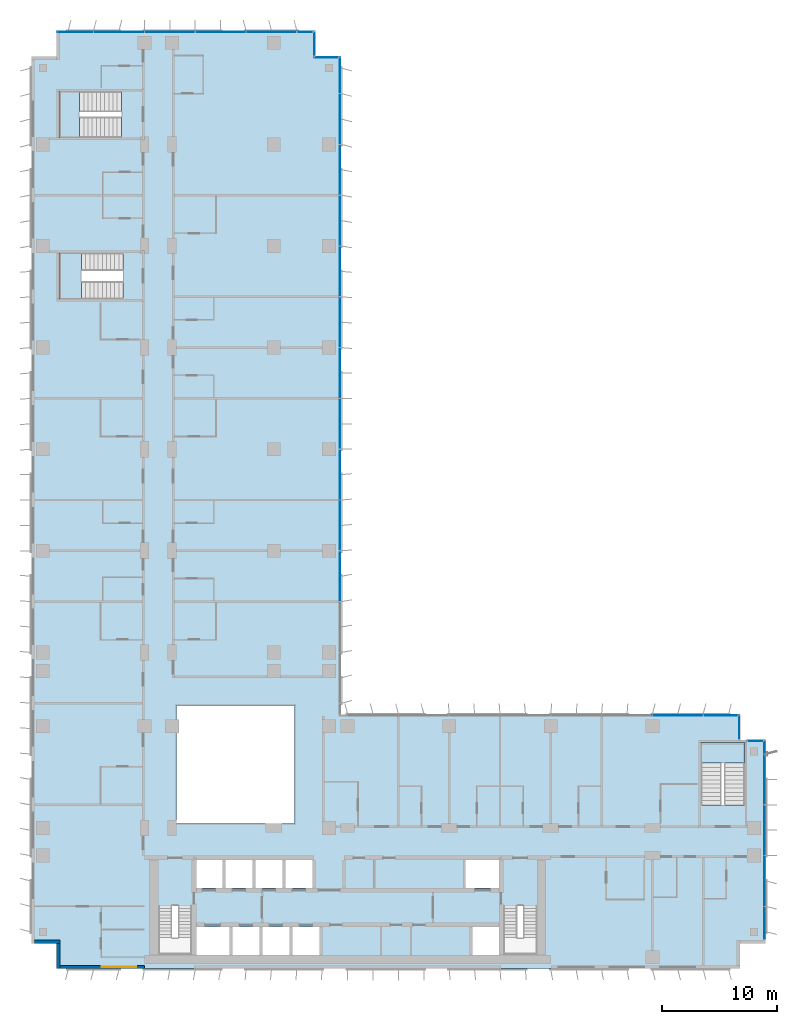
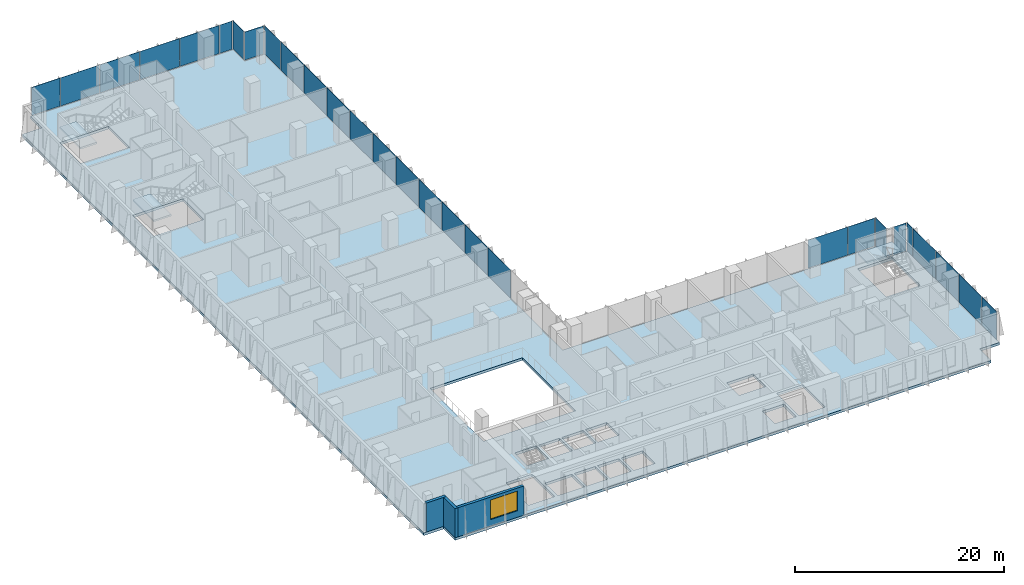
# One storey, part 11 of 23: 28 plates, 4 slabs, 3 walls, 1 window, 1 opening, 11 elements without a shape of their own.
"""IFC4 building model written with IfcOpenShell, lengths in metres."""

import ifcopenshell
import ifcopenshell.guid

model = None  # the IFC model being written
_history = None  # IfcOwnerHistory: only IFC2X3 demands one
_inside = {}  # id of a spatial element -> (the spatial element, [elements in it])
_under = {}  # id of a project, library or spatial element -> (it, [spatial elements below it])
_declared = {}  # id of a project -> (the project, [libraries it declares])
_typed = {}  # id of a type object -> (the type object, [elements of that type])
_made_of = {}  # id of a material, layer set ... -> (it, [elements and type objects made of it])


def new_model(schema):
    """Start an empty IFC model of exactly this schema.

    Asked for "IFC4X3", IfcOpenShell would pick the latest addendum, in which some entities
    have other attributes; the version numbers below select the first issue.
    IFC2X3 requires an IfcOwnerHistory on every rooted entity: one is made here for all.
    """
    global model, _history
    if schema == "IFC4X3":
        model = ifcopenshell.file(schema_version=(4, 3, 0, 0))
    else:
        model = ifcopenshell.file(schema=schema)
    _inside.clear()
    _under.clear()
    _declared.clear()
    _typed.clear()
    _made_of.clear()
    _history = None
    if model.schema == "IFC2X3":
        org = make("IfcOrganization", Name="unknown")
        user = make(
            "IfcPersonAndOrganization",
            ThePerson=make("IfcPerson", FamilyName="unknown"),
            TheOrganization=org,
        )
        app = make(
            "IfcApplication",
            ApplicationDeveloper=org,
            Version="unknown",
            ApplicationFullName="unknown",
            ApplicationIdentifier="unknown",
        )
        _history = make(
            "IfcOwnerHistory",
            OwningUser=user,
            OwningApplication=app,
            ChangeAction="ADDED",
            CreationDate=0,
        )
    return model


def make(cls, **values):
    """One entity of the class cls with the attributes given. An attribute that is None is left unset."""
    return model.create_entity(
        cls, **{name: value for name, value in values.items() if value is not None}
    )


def rooted(cls, **values):
    """An entity with a GlobalId (a new one), such as an element, a storey or a relation."""
    return make(cls, GlobalId=ifcopenshell.guid.new(), OwnerHistory=_history, **values)


def si_unit(unit_type, name, prefix=None):
    """IfcSIUnit, for example si_unit("LENGTHUNIT", "METRE", prefix="MILLI")."""
    return make("IfcSIUnit", UnitType=unit_type, Prefix=prefix, Name=name)


def assignment(units):
    """IfcUnitAssignment: the units of a project."""
    return None if units is None else make("IfcUnitAssignment", Units=units)


def point(xyz):
    """IfcCartesianPoint."""
    return None if xyz is None else make("IfcCartesianPoint", Coordinates=xyz)


def direction(xyz):
    """IfcDirection."""
    return None if xyz is None else make("IfcDirection", DirectionRatios=xyz)


def frame(location, z_axis=None, x_axis=None):
    """IfcAxis2Placement3D, a coordinate frame: its origin and axes. An axis left out is left unset."""
    return make(
        "IfcAxis2Placement3D",
        Location=point(location),
        Axis=direction(z_axis),
        RefDirection=direction(x_axis),
    )


def frame_2d(location, x_axis=None):
    """IfcAxis2Placement2D, a coordinate frame in the plane: its origin and x axis."""
    return make(
        "IfcAxis2Placement2D", Location=point(location), RefDirection=direction(x_axis)
    )


def origin():
    """The frame at (0, 0, 0) with its axes left unset."""
    return frame((0.0, 0.0, 0.0))


def origin_2d():
    """The frame at (0, 0) in the plane with its x axis left unset."""
    return frame_2d((0.0, 0.0))


def place(relative_to, where):
    """IfcLocalPlacement: puts the frame where relative to a parent placement (None: the world)."""
    return make(
        "IfcLocalPlacement", PlacementRelTo=relative_to, RelativePlacement=where
    )


def context(
    kind, dimensions, precision=None, world=None, true_north=None, identifier=None
):
    """IfcGeometricRepresentationContext, for example the 3D "Model" context."""
    return make(
        "IfcGeometricRepresentationContext",
        ContextIdentifier=identifier,
        ContextType=kind,
        CoordinateSpaceDimension=dimensions,
        Precision=precision,
        WorldCoordinateSystem=world,
        TrueNorth=true_north,
    )


def subcontext(parent, identifier, kind, view, scale=None):
    """IfcGeometricRepresentationSubContext, for example "Body" below "Model"."""
    return make(
        "IfcGeometricRepresentationSubContext",
        ContextIdentifier=identifier,
        ContextType=kind,
        ParentContext=parent,
        TargetScale=scale,
        TargetView=view,
    )


def project(units=None, contexts=None):
    """IfcProject with its units and contexts."""
    return rooted(
        "IfcProject",
        Name="project",
        RepresentationContexts=contexts,
        UnitsInContext=assignment(units),
    )


def spatial(cls, under=None, at=None, **own):
    """A site, building, storey or space (cls), placed at a placement, below another one or the project."""
    s = rooted(cls, ObjectPlacement=at, **own)
    if under is not None:
        _under.setdefault(under.id(), (under, []))[1].append(s)
    return s


def polyline(points):
    """IfcPolyline through the points."""
    return make("IfcPolyline", Points=[point(p) for p in points])


def profile(cls, at=None, kind="AREA", **sizes):
    """A parametric profile (cls). Its sizes go by their IFC names, for example OverallWidth=200.0."""
    return make(cls, ProfileType=kind, Position=at, **sizes)


def rectangle(**sizes):
    """IfcRectangleProfileDef."""
    return profile("IfcRectangleProfileDef", **sizes)


def outline(outer, holes=None, kind="AREA"):
    """IfcArbitraryClosedProfileDef: a profile drawn as a closed curve; with holes, ...WithVoids."""
    if holes is None:
        return make("IfcArbitraryClosedProfileDef", ProfileType=kind, OuterCurve=outer)
    return make(
        "IfcArbitraryProfileDefWithVoids",
        ProfileType=kind,
        OuterCurve=outer,
        InnerCurves=holes,
    )


def extrude(swept, where, along, depth):
    """IfcExtrudedAreaSolid: the profile swept, set in the frame where, extruded along a direction by depth."""
    return make(
        "IfcExtrudedAreaSolid",
        SweptArea=swept,
        Position=where,
        ExtrudedDirection=direction(along),
        Depth=depth,
    )


def shape(context_of_items, identifier, shape_type, items):
    """IfcShapeRepresentation: the items that make up one representation, for example the "Body"."""
    return make(
        "IfcShapeRepresentation",
        ContextOfItems=context_of_items,
        RepresentationIdentifier=identifier,
        RepresentationType=shape_type,
        Items=items,
    )


def source(mapping_origin, context_of_items, identifier, shape_type, items):
    """IfcRepresentationMap: a shape defined once, which mapped items show again and again."""
    return make(
        "IfcRepresentationMap",
        MappingOrigin=mapping_origin,
        MappedRepresentation=shape(context_of_items, identifier, shape_type, items),
    )


def transform(
    local_origin,
    x_axis=None,
    y_axis=None,
    z_axis=None,
    scale=None,
    scale2=None,
    scale3=None,
    uniform=True,
):
    """IfcCartesianTransformationOperator3D, or its non-uniform kind. x_axis, y_axis, z_axis: its Axis1, 2, 3."""
    if uniform:
        return make(
            "IfcCartesianTransformationOperator3D",
            Axis1=direction(x_axis),
            Axis2=direction(y_axis),
            LocalOrigin=point(local_origin),
            Scale=scale,
            Axis3=direction(z_axis),
        )
    return make(
        "IfcCartesianTransformationOperator3DnonUniform",
        Axis1=direction(x_axis),
        Axis2=direction(y_axis),
        LocalOrigin=point(local_origin),
        Scale=scale,
        Axis3=direction(z_axis),
        Scale2=scale2,
        Scale3=scale3,
    )


def mapped(mapping_source, mapping_target):
    """IfcMappedItem: shows the shape of a source again, moved by a transform."""
    return make(
        "IfcMappedItem", MappingSource=mapping_source, MappingTarget=mapping_target
    )


def material(Name=None, Category=None):
    """IfcMaterial."""
    return make("IfcMaterial", Name=Name, Category=Category)


def layer(
    of_material, thickness, ventilated=None, Name=None, Category=None, Priority=None
):
    """IfcMaterialLayer: one layer of a wall or slab, of a material (None: an air gap)."""
    return make(
        "IfcMaterialLayer",
        Material=of_material,
        LayerThickness=thickness,
        IsVentilated=ventilated,
        Name=Name,
        Category=Category,
        Priority=Priority,
    )


def layer_set(layers, Name=None):
    """IfcMaterialLayerSet."""
    return make("IfcMaterialLayerSet", MaterialLayers=layers, LayerSetName=Name)


def made_of(thing, what):
    """Note that an element or type object is made of a material, layer set ...; save() writes the relation."""
    if what is not None:
        _made_of.setdefault(what.id(), (what, []))[1].append(thing)
    return thing


def type_object(cls, material=None, **own):
    """A type object (cls), such as IfcWallType, which elements share."""
    return made_of(rooted(cls, **own), material)


def element(
    cls,
    number,
    at=None,
    inside=None,
    cuts=None,
    type_object=None,
    material=None,
    context=None,
    identifier="Body",
    shape_type=None,
    held_by="IfcProductDefinitionShape",
    body=None,
    shapes=None,
    **own,
):
    """One element of the class cls, such as IfcWall. Its Tag is "e" and its number.

    at: its placement. inside: the storey or other place that contains it. cuts: it is an
    opening in that element (IfcRelVoidsElement). A single representation is given by context,
    identifier, shape_type and body (its items); several are given by shapes. held_by: the class
    of the entity that holds the representations. save() writes the other relations.
    """
    e = rooted(cls, Tag="e%d" % number, ObjectPlacement=at, **own)
    if body is not None:
        shapes = [shape(context, identifier, shape_type, body)]
    if shapes is not None:
        e.Representation = make(held_by, Representations=shapes)
    if inside is not None:
        _inside.setdefault(inside.id(), (inside, []))[1].append(e)
    if cuts is not None:
        rooted(
            "IfcRelVoidsElement", RelatingBuildingElement=cuts, RelatedOpeningElement=e
        )
    if type_object is not None:
        _typed.setdefault(type_object.id(), (type_object, []))[1].append(e)
    return made_of(e, material)


def fill(opening, filler):
    """IfcRelFillsElement: the door or window that sits in an opening."""
    return rooted(
        "IfcRelFillsElement",
        RelatingOpeningElement=opening,
        RelatedBuildingElement=filler,
    )


def aggregate(whole, parts):
    """IfcRelAggregates: a whole, such as a stair, and the parts it consists of."""
    return rooted("IfcRelAggregates", RelatingObject=whole, RelatedObjects=parts)


def save(model, path):
    """Write the relations noted so far, then the file.

    IfcRelAggregates (storeys below a building ...), IfcRelContainedInSpatialStructure (elements
    in a storey), IfcRelDefinesByType, IfcRelAssociatesMaterial and IfcRelDeclares: one each for
    every whole, place, type object, material and project.
    """
    for whole, parts in _under.values():
        aggregate(whole, parts)
    for where, things in _inside.values():
        rooted(
            "IfcRelContainedInSpatialStructure",
            RelatedElements=things,
            RelatingStructure=where,
        )
    for kind, things in _typed.values():
        rooted("IfcRelDefinesByType", RelatedObjects=things, RelatingType=kind)
    for what, things in _made_of.values():
        rooted("IfcRelAssociatesMaterial", RelatedObjects=things, RelatingMaterial=what)
    for by, libraries in _declared.values():
        rooted("IfcRelDeclares", RelatingContext=by, RelatedDefinitions=libraries)
    model.write(path)


model = new_model("IFC4")

# Units and contexts
model_context = context("Model", 3, precision=1e-05, world=origin(), true_north=direction((0.0, 1.0)))
body_context = subcontext(model_context, "Body", "Model", "MODEL_VIEW")
ifc_project = project(units=[si_unit("LENGTHUNIT", "METRE"), si_unit("AREAUNIT", "SQUARE_METRE"), si_unit("VOLUMEUNIT", "CUBIC_METRE"), si_unit("PLANEANGLEUNIT", "RADIAN"), si_unit("MASSUNIT", "GRAM", prefix="KILO")], contexts=[model_context])

# Site, building, storey
site_placement = place(None, origin())
site = spatial("IfcSite", under=ifc_project, at=site_placement, CompositionType="ELEMENT")
building_placement = place(site_placement, origin())
building = spatial("IfcBuilding", under=site, at=building_placement, Name="Kemantara Hotel Tower", CompositionType="ELEMENT")
storey_placement = place(building_placement, frame((0.0, 0.0, 142.0)))
storey = spatial("IfcBuildingStorey", under=building, at=storey_placement, Name="L34", CompositionType="ELEMENT", Elevation=142.0)

# Slab
ifc_material_1 = material(Name="Concrete fc 40 MPa", Category="concrete")
ifc_layer_1 = layer(ifc_material_1, 0.300048828125)
ifc_layer_set_1 = layer_set([ifc_layer_1], Name="Concrete fc 40 MPa")
slab_type_1 = type_object("IfcSlabType", Name="POST-TENSIONED FLAT PLATE 300", PredefinedType="FLOOR", material=ifc_layer_set_1)
slab_1_placement = place(storey_placement, frame((0.0, 0.0, -0.300048828125)))
element("IfcSlab", 1, at=slab_1_placement, inside=storey, type_object=slab_type_1, Name="FLOOR SLAB L34", PredefinedType="FLOOR", context=body_context, shape_type="SweptSolid", body=[
    extrude(outline(polyline([(26.800048828125, 79.0), (24.60009765625, 79.0), (24.60009765625, 81.199951171875), (2.199951171875, 81.199951171875), (2.199951171875, 79.0), (0.0, 79.0), (0.0, 2.199951171875), (2.199951171875, 2.199951171875), (2.199951171875, 0.0), (61.39990234375, 0.0), (61.39990234375, 2.199951171875), (63.60009765625, 2.199951171875), (63.60009765625, 19.800048828125), (61.39990234375, 19.800048828125), (61.39990234375, 22.0), (26.800048828125, 22.0), (26.800048828125, 79.0)]), holes=[polyline([(17.175048828125, 1.199951171875), (14.22509765625, 1.199951171875), (14.22509765625, 3.60009765625), (17.175048828125, 3.60009765625), (17.175048828125, 1.199951171875)]), polyline([(19.77490234375, 1.199951171875), (17.425048828125, 1.199951171875), (17.425048828125, 3.60009765625), (19.77490234375, 3.60009765625), (19.77490234375, 1.199951171875)]), polyline([(11.0, 1.199951171875), (11.0, 5.49951171875), (13.89990234375, 5.49951171875), (13.89990234375, 1.199951171875), (11.0, 1.199951171875)]), polyline([(16.574951171875, 7.0), (14.22509765625, 7.0), (14.22509765625, 9.39990234375), (16.574951171875, 9.39990234375), (16.574951171875, 7.0)]), polyline([(19.175048828125, 7.0), (16.824951171875, 7.0), (16.824951171875, 9.39990234375), (19.175048828125, 9.39990234375), (19.175048828125, 7.0)]), polyline([(22.800048828125, 12.60009765625), (12.60009765625, 12.60009765625), (12.60009765625, 22.800048828125), (22.800048828125, 22.800048828125), (22.800048828125, 12.60009765625)]), polyline([(2.39990234375, 62.0), (7.949462890625, 62.0), (7.949462890625, 58.0), (2.39990234375, 58.0), (2.39990234375, 62.0)]), polyline([(2.39990234375, 76.0), (7.79931640625, 76.0), (7.79931640625, 72.0), (2.39990234375, 72.0), (2.39990234375, 76.0)]), polyline([(22.375, 1.199951171875), (20.02490234375, 1.199951171875), (20.02490234375, 3.60009765625), (22.375, 3.60009765625), (22.375, 1.199951171875)]), polyline([(24.97509765625, 1.199951171875), (22.625, 1.199951171875), (22.625, 3.60009765625), (24.97509765625, 3.60009765625), (24.97509765625, 1.199951171875)]), polyline([(40.574951171875, 1.199951171875), (38.22509765625, 1.199951171875), (38.22509765625, 3.60009765625), (40.574951171875, 3.60009765625), (40.574951171875, 1.199951171875)]), polyline([(40.89990234375, 1.199951171875), (40.89990234375, 5.49951171875), (43.800048828125, 5.49951171875), (43.800048828125, 1.199951171875), (40.89990234375, 1.199951171875)]), polyline([(21.77490234375, 7.0), (19.425048828125, 7.0), (19.425048828125, 9.39990234375), (21.77490234375, 9.39990234375), (21.77490234375, 7.0)]), polyline([(24.375, 7.0), (22.02490234375, 7.0), (22.02490234375, 9.39990234375), (24.375, 9.39990234375), (24.375, 7.0)]), polyline([(40.574951171875, 7.0), (37.625, 7.0), (37.625, 9.39990234375), (40.574951171875, 9.39990234375), (40.574951171875, 7.0)]), polyline([(61.800048828125, 19.60009765625), (61.800048828125, 14.20068359375), (58.0, 14.20068359375), (58.0, 19.60009765625), (61.800048828125, 19.60009765625)])]), origin(), (0.0, 0.0, 1.0), 0.300048828125),
])

# Stair, slab
stair_type_1 = type_object("IfcStairType", Name="Stair 1800 wide 22 risers of 168 x 360 mm", PredefinedType="HALF_TURN_STAIR", material=ifc_material_1)
stair_1_placement = place(storey_placement, origin())
stair_1 = element("IfcStair", 2, at=stair_1_placement, inside=storey, type_object=stair_type_1, Name="L34 Exit stair ST3", PredefinedType="HALF_TURN_STAIR")
ifc_layer_2 = layer(ifc_material_1, 0.199951171875)
ifc_layer_set_2 = layer_set([ifc_layer_2], Name="Concrete fc 40 MPa")
slab_type_2 = type_object("IfcSlabType", Name="Stair landing 200 mm", PredefinedType="LANDING", material=ifc_layer_set_2)
slab_2_placement = place(storey_placement, frame((0.0, 0.0, 1.64990234375)))
slab_2 = element("IfcSlab", 3, at=slab_2_placement, type_object=slab_type_2, Name="ST3 landing 1", PredefinedType="LANDING", context=body_context, shape_type="SweptSolid", body=[
    extrude(outline(polyline([(61.800048828125, 17.800048828125), (61.800048828125, 19.60009765625), (58.0, 19.60009765625), (58.0, 17.800048828125), (61.800048828125, 17.800048828125)])), origin(), (0.0, 0.0, 1.0), 0.2001953125),
])
aggregate(stair_1, [slab_2])

stair_type_2 = type_object("IfcStairType", Name="Stair 1550 wide 22 risers of 168 x 360 mm", PredefinedType="HALF_TURN_STAIR", material=ifc_material_1)
stair_2_placement = place(storey_placement, origin())
stair_2 = element("IfcStair", 4, at=stair_2_placement, inside=storey, type_object=stair_type_2, Name="L34 Exit stair ST4", PredefinedType="HALF_TURN_STAIR")
slab_3_placement = place(storey_placement, frame((0.0, 0.0, 1.64990234375)))
slab_3 = element("IfcSlab", 5, at=slab_3_placement, type_object=slab_type_2, Name="ST4 landing 1", PredefinedType="LANDING", context=body_context, shape_type="SweptSolid", body=[
    extrude(outline(polyline([(4.35009765625, 62.0), (2.39990234375, 62.0), (2.39990234375, 58.0), (4.35009765625, 58.0), (4.35009765625, 62.0)])), origin(), (0.0, 0.0, 1.0), 0.2001953125),
])
aggregate(stair_2, [slab_3])

stair_3_placement = place(storey_placement, origin())
stair_3 = element("IfcStair", 6, at=stair_3_placement, inside=storey, type_object=stair_type_1, Name="L34 Exit stair ST6", PredefinedType="HALF_TURN_STAIR")
slab_4_placement = place(storey_placement, frame((0.0, 0.0, 1.64990234375)))
slab_4 = element("IfcSlab", 7, at=slab_4_placement, type_object=slab_type_2, Name="ST6 landing 1", PredefinedType="LANDING", context=body_context, shape_type="SweptSolid", body=[
    extrude(outline(polyline([(4.199951171875, 76.0), (2.39990234375, 76.0), (2.39990234375, 72.0), (4.199951171875, 72.0), (4.199951171875, 76.0)])), origin(), (0.0, 0.0, 1.0), 0.2001953125),
])
aggregate(stair_3, [slab_4])

# Curtain wall, plate
ifc_material_2 = material(Name="Low-E tinted double insulated glass 36 mm", Category="glass")
curtain_wall_type = type_object("IfcCurtainWallType", Name="TOWER CURTAIN WALL, FRONT FACES", PredefinedType="USERDEFINED", material=ifc_material_2)
curtain_wall_1_placement = place(storey_placement, origin())
curtain_wall_1 = element("IfcCurtainWall", 8, at=curtain_wall_1_placement, inside=storey, type_object=curtain_wall_type, Name="CW4 L34 T2-R10-1", ObjectType="TOWER CURTAIN WALL, FRONT FACES", PredefinedType="USERDEFINED")
ifc_layer_3 = layer(ifc_material_2, 0.035888671875)
ifc_layer_set_3 = layer_set([ifc_layer_3], Name="Low-E tinted double insulated glass 36 mm")
plate_type = type_object("IfcPlateType", Name="TOWER CURTAIN WALL, FRONT FACES PANEL", PredefinedType="CURTAIN_PANEL", material=ifc_layer_set_3)
shared_shape_1 = source(origin(), body_context, "Body", "SweptSolid", [
    extrude(rectangle(XDim=2.81005859375, YDim=0.035888671875, at=origin_2d()), origin(), (0.0, 0.0, 1.0), 3.280029296875),
])
plate_1_placement = place(storey_placement, frame((63.52490234375, 3.965087890625, 0.1201171875), z_axis=(0.0, 0.0, 1.0), x_axis=(0.0, 1.0, 0.0)))
plate_1 = element("IfcPlate", 9, at=plate_1_placement, type_object=plate_type, Name="CW4 glass panel T2-R10-1.1", PredefinedType="CURTAIN_PANEL", context=body_context, shape_type="MappedRepresentation", body=[
    mapped(shared_shape_1, transform((0.0, 0.0, 0.0))),
])

# Curtain wall, plates
curtain_wall_2_placement = place(storey_placement, origin())
curtain_wall_2 = element("IfcCurtainWall", 10, at=curtain_wall_2_placement, inside=storey, type_object=curtain_wall_type, Name="CW4 L34 T2-R01-1", ObjectType="TOWER CURTAIN WALL, FRONT FACES", PredefinedType="USERDEFINED")
shared_shape_2 = source(origin(), body_context, "Body", "SweptSolid", [
    extrude(rectangle(XDim=4.340087890625, YDim=0.035888671875, at=origin_2d()), origin(), (0.0, 0.0, 1.0), 3.280029296875),
])
plate_2_placement = place(storey_placement, frame((20.800048828125, 81.125, 0.1201171875), z_axis=(0.0, 0.0, 1.0), x_axis=(-1.0, 0.0, 0.0)))
plate_2 = element("IfcPlate", 11, at=plate_2_placement, type_object=plate_type, Name="CW4 glass panel T2-R01-1.2", PredefinedType="CURTAIN_PANEL", context=body_context, shape_type="MappedRepresentation", body=[
    mapped(shared_shape_2, transform((0.0, 0.0, 0.0))),
])
plate_3_placement = place(storey_placement, frame((16.39990234375, 81.125, 0.1201171875), z_axis=(0.0, 0.0, 1.0), x_axis=(-1.0, 0.0, 0.0)))
plate_3 = element("IfcPlate", 12, at=plate_3_placement, type_object=plate_type, Name="CW4 glass panel T2-R01-1.3", PredefinedType="CURTAIN_PANEL", context=body_context, shape_type="MappedRepresentation", body=[
    mapped(shared_shape_2, transform((0.0, 0.0, 0.0))),
])
plate_4_placement = place(storey_placement, frame((12.0, 81.125, 0.1201171875), z_axis=(0.0, 0.0, 1.0), x_axis=(-1.0, 0.0, 0.0)))
plate_4 = element("IfcPlate", 13, at=plate_4_placement, type_object=plate_type, Name="CW4 glass panel T2-R01-1.4", PredefinedType="CURTAIN_PANEL", context=body_context, shape_type="MappedRepresentation", body=[
    mapped(shared_shape_2, transform((0.0, 0.0, 0.0))),
])
plate_5_placement = place(storey_placement, frame((7.60009765625, 81.125, 0.1201171875), z_axis=(0.0, 0.0, 1.0), x_axis=(-1.0, 0.0, 0.0)))
plate_5 = element("IfcPlate", 14, at=plate_5_placement, type_object=plate_type, Name="CW4 glass panel T2-R01-1.5", PredefinedType="CURTAIN_PANEL", context=body_context, shape_type="MappedRepresentation", body=[
    mapped(shared_shape_2, transform((0.0, 0.0, 0.0))),
])

# Plate
plate_6_placement = place(storey_placement, frame((63.52490234375, 7.60009765625, 0.1201171875), z_axis=(0.0, 0.0, 1.0), x_axis=(0.0, 1.0, 0.0)))
plate_6 = element("IfcPlate", 15, at=plate_6_placement, type_object=plate_type, Name="CW4 glass panel T2-R10-1.2", PredefinedType="CURTAIN_PANEL", context=body_context, shape_type="MappedRepresentation", body=[
    mapped(shared_shape_2, transform((0.0, 0.0, 0.0))),
])

plate_7_placement = place(storey_placement, frame((63.52490234375, 12.0, 0.1201171875), z_axis=(0.0, 0.0, 1.0), x_axis=(0.0, 1.0, 0.0)))
plate_7 = element("IfcPlate", 16, at=plate_7_placement, type_object=plate_type, Name="CW4 glass panel T2-R10-1.3", PredefinedType="CURTAIN_PANEL", context=body_context, shape_type="MappedRepresentation", body=[
    mapped(shared_shape_2, transform((0.0, 0.0, 0.0))),
])

plate_8_placement = place(storey_placement, frame((63.52490234375, 16.39990234375, 0.1201171875), z_axis=(0.0, 0.0, 1.0), x_axis=(0.0, 1.0, 0.0)))
plate_8 = element("IfcPlate", 17, at=plate_8_placement, type_object=plate_type, Name="CW4 glass panel T2-R10-1.4", PredefinedType="CURTAIN_PANEL", context=body_context, shape_type="MappedRepresentation", body=[
    mapped(shared_shape_2, transform((0.0, 0.0, 0.0))),
])

# Curtain wall, plate
curtain_wall_3_placement = place(storey_placement, origin())
curtain_wall_3 = element("IfcCurtainWall", 18, at=curtain_wall_3_placement, inside=storey, type_object=curtain_wall_type, Name="CW4 L34 T2-R13-1", ObjectType="TOWER CURTAIN WALL, FRONT FACES", PredefinedType="USERDEFINED")
plate_9_placement = place(storey_placement, frame((56.0, 21.925048828125, 0.1201171875), z_axis=(0.0, 0.0, 1.0), x_axis=(-1.0, 0.0, 0.0)))
plate_9 = element("IfcPlate", 19, at=plate_9_placement, type_object=plate_type, Name="CW4 glass panel T2-R13-1.2", PredefinedType="CURTAIN_PANEL", context=body_context, shape_type="MappedRepresentation", body=[
    mapped(shared_shape_2, transform((0.0, 0.0, 0.0))),
])

# Curtain wall, plates
curtain_wall_4_placement = place(storey_placement, origin())
curtain_wall_4 = element("IfcCurtainWall", 20, at=curtain_wall_4_placement, inside=storey, type_object=curtain_wall_type, Name="CW4 L34 T2-R14-1", ObjectType="TOWER CURTAIN WALL, FRONT FACES", PredefinedType="USERDEFINED")
plate_10_placement = place(storey_placement, frame((26.72509765625, 34.0, 0.1201171875), z_axis=(0.0, 0.0, 1.0), x_axis=(0.0, 1.0, 0.0)))
plate_10 = element("IfcPlate", 21, at=plate_10_placement, type_object=plate_type, Name="CW4 glass panel T2-R14-1.4", PredefinedType="CURTAIN_PANEL", context=body_context, shape_type="MappedRepresentation", body=[
    mapped(shared_shape_2, transform((0.0, 0.0, 0.0))),
])
plate_11_placement = place(storey_placement, frame((26.72509765625, 38.39990234375, 0.1201171875), z_axis=(0.0, 0.0, 1.0), x_axis=(0.0, 1.0, 0.0)))
plate_11 = element("IfcPlate", 22, at=plate_11_placement, type_object=plate_type, Name="CW4 glass panel T2-R14-1.5", PredefinedType="CURTAIN_PANEL", context=body_context, shape_type="MappedRepresentation", body=[
    mapped(shared_shape_2, transform((0.0, 0.0, 0.0))),
])
plate_12_placement = place(storey_placement, frame((26.72509765625, 42.800048828125, 0.1201171875), z_axis=(0.0, 0.0, 1.0), x_axis=(0.0, 1.0, 0.0)))
plate_12 = element("IfcPlate", 23, at=plate_12_placement, type_object=plate_type, Name="CW4 glass panel T2-R14-1.6", PredefinedType="CURTAIN_PANEL", context=body_context, shape_type="MappedRepresentation", body=[
    mapped(shared_shape_2, transform((0.0, 0.0, 0.0))),
])
plate_13_placement = place(storey_placement, frame((26.72509765625, 47.199951171875, 0.1201171875), z_axis=(0.0, 0.0, 1.0), x_axis=(0.0, 1.0, 0.0)))
plate_13 = element("IfcPlate", 24, at=plate_13_placement, type_object=plate_type, Name="CW4 glass panel T2-R14-1.7", PredefinedType="CURTAIN_PANEL", context=body_context, shape_type="MappedRepresentation", body=[
    mapped(shared_shape_2, transform((0.0, 0.0, 0.0))),
])
plate_14_placement = place(storey_placement, frame((26.72509765625, 51.60009765625, 0.1201171875), z_axis=(0.0, 0.0, 1.0), x_axis=(0.0, 1.0, 0.0)))
plate_14 = element("IfcPlate", 25, at=plate_14_placement, type_object=plate_type, Name="CW4 glass panel T2-R14-1.8", PredefinedType="CURTAIN_PANEL", context=body_context, shape_type="MappedRepresentation", body=[
    mapped(shared_shape_2, transform((0.0, 0.0, 0.0))),
])
plate_15_placement = place(storey_placement, frame((26.72509765625, 56.0, 0.1201171875), z_axis=(0.0, 0.0, 1.0), x_axis=(0.0, 1.0, 0.0)))
plate_15 = element("IfcPlate", 26, at=plate_15_placement, type_object=plate_type, Name="CW4 glass panel T2-R14-1.9", PredefinedType="CURTAIN_PANEL", context=body_context, shape_type="MappedRepresentation", body=[
    mapped(shared_shape_2, transform((0.0, 0.0, 0.0))),
])
plate_16_placement = place(storey_placement, frame((26.72509765625, 60.39990234375, 0.1201171875), z_axis=(0.0, 0.0, 1.0), x_axis=(0.0, 1.0, 0.0)))
plate_16 = element("IfcPlate", 27, at=plate_16_placement, type_object=plate_type, Name="CW4 glass panel T2-R14-1.10", PredefinedType="CURTAIN_PANEL", context=body_context, shape_type="MappedRepresentation", body=[
    mapped(shared_shape_2, transform((0.0, 0.0, 0.0))),
])
plate_17_placement = place(storey_placement, frame((26.72509765625, 64.800048828125, 0.1201171875), z_axis=(0.0, 0.0, 1.0), x_axis=(0.0, 1.0, 0.0)))
plate_17 = element("IfcPlate", 28, at=plate_17_placement, type_object=plate_type, Name="CW4 glass panel T2-R14-1.11", PredefinedType="CURTAIN_PANEL", context=body_context, shape_type="MappedRepresentation", body=[
    mapped(shared_shape_2, transform((0.0, 0.0, 0.0))),
])
plate_18_placement = place(storey_placement, frame((26.72509765625, 69.199951171875, 0.1201171875), z_axis=(0.0, 0.0, 1.0), x_axis=(0.0, 1.0, 0.0)))
plate_18 = element("IfcPlate", 29, at=plate_18_placement, type_object=plate_type, Name="CW4 glass panel T2-R14-1.12", PredefinedType="CURTAIN_PANEL", context=body_context, shape_type="MappedRepresentation", body=[
    mapped(shared_shape_2, transform((0.0, 0.0, 0.0))),
])
plate_19_placement = place(storey_placement, frame((26.72509765625, 73.60009765625, 0.1201171875), z_axis=(0.0, 0.0, 1.0), x_axis=(0.0, 1.0, 0.0)))
plate_19 = element("IfcPlate", 30, at=plate_19_placement, type_object=plate_type, Name="CW4 glass panel T2-R14-1.13", PredefinedType="CURTAIN_PANEL", context=body_context, shape_type="MappedRepresentation", body=[
    mapped(shared_shape_2, transform((0.0, 0.0, 0.0))),
])

# Plate
shared_shape_3 = source(origin(), body_context, "Body", "SweptSolid", [
    extrude(rectangle(XDim=1.360107421875, YDim=0.035888671875, at=origin_2d()), origin(), (0.0, 0.0, 1.0), 3.280029296875),
])
plate_20_placement = place(storey_placement, frame((23.7099609375, 81.125, 0.1201171875), z_axis=(0.0, 0.0, 1.0), x_axis=(-1.0, 0.0, 0.0)))
plate_20 = element("IfcPlate", 31, at=plate_20_placement, type_object=plate_type, Name="CW4 glass panel T2-R01-1.1", PredefinedType="CURTAIN_PANEL", context=body_context, shape_type="MappedRepresentation", body=[
    mapped(shared_shape_3, transform((0.0, 0.0, 0.0))),
])

shared_shape_4 = source(origin(), body_context, "Body", "SweptSolid", [
    extrude(rectangle(XDim=3.110107421875, YDim=0.035888671875, at=origin_2d()), origin(), (0.0, 0.0, 1.0), 3.280029296875),
])
plate_21_placement = place(storey_placement, frame((3.81494140625, 81.125, 0.1201171875), z_axis=(0.0, 0.0, 1.0), x_axis=(-1.0, 0.0, 0.0)))
plate_21 = element("IfcPlate", 32, at=plate_21_placement, type_object=plate_type, Name="CW4 glass panel T2-R01-1.6", PredefinedType="CURTAIN_PANEL", context=body_context, shape_type="MappedRepresentation", body=[
    mapped(shared_shape_4, transform((0.0, 0.0, 0.0))),
])

aggregate(curtain_wall_2, [plate_20, plate_2, plate_3, plate_4, plate_5, plate_21])

plate_22_placement = place(storey_placement, frame((26.72509765625, 77.385009765625, 0.1201171875), z_axis=(0.0, 0.0, 1.0), x_axis=(0.0, 1.0, 0.0)))
plate_22 = element("IfcPlate", 33, at=plate_22_placement, type_object=plate_type, Name="CW4 glass panel T2-R14-1.14", PredefinedType="CURTAIN_PANEL", context=body_context, shape_type="MappedRepresentation", body=[
    mapped(shared_shape_4, transform((0.0, 0.0, 0.0))),
])

aggregate(curtain_wall_4, [plate_10, plate_11, plate_12, plate_13, plate_14, plate_15, plate_16, plate_17, plate_18, plate_19, plate_22])

# Curtain wall, plate
curtain_wall_5_placement = place(storey_placement, origin())
curtain_wall_5 = element("IfcCurtainWall", 34, at=curtain_wall_5_placement, inside=storey, type_object=curtain_wall_type, Name="CW4 L34 T2-R00-1", ObjectType="TOWER CURTAIN WALL, FRONT FACES", PredefinedType="USERDEFINED")
shared_shape_5 = source(origin(), body_context, "Body", "SweptSolid", [
    extrude(rectangle(XDim=2.080078125, YDim=0.035888671875, at=origin_2d()), origin(), (0.0, 0.0, 1.0), 3.280029296875),
])
plate_23_placement = place(storey_placement, frame((24.52490234375, 80.10009765625, 0.1201171875), z_axis=(0.0, 0.0, 1.0), x_axis=(0.0, 1.0, 0.0)))
plate_23 = element("IfcPlate", 35, at=plate_23_placement, type_object=plate_type, Name="CW4 glass panel T2-R00-1.1", PredefinedType="CURTAIN_PANEL", context=body_context, shape_type="MappedRepresentation", body=[
    mapped(shared_shape_5, transform((0.0, 0.0, 0.0))),
])
aggregate(curtain_wall_5, [plate_23])

curtain_wall_6_placement = place(storey_placement, origin())
curtain_wall_6 = element("IfcCurtainWall", 36, at=curtain_wall_6_placement, inside=storey, type_object=curtain_wall_type, Name="CW4 L34 T2-R12-1", ObjectType="TOWER CURTAIN WALL, FRONT FACES", PredefinedType="USERDEFINED")
plate_24_placement = place(storey_placement, frame((61.324951171875, 20.89990234375, 0.1201171875), z_axis=(0.0, 0.0, 1.0), x_axis=(0.0, 1.0, 0.0)))
plate_24 = element("IfcPlate", 37, at=plate_24_placement, type_object=plate_type, Name="CW4 glass panel T2-R12-1.1", PredefinedType="CURTAIN_PANEL", context=body_context, shape_type="MappedRepresentation", body=[
    mapped(shared_shape_5, transform((0.0, 0.0, 0.0))),
])
aggregate(curtain_wall_6, [plate_24])

curtain_wall_7_placement = place(storey_placement, origin())
curtain_wall_7 = element("IfcCurtainWall", 38, at=curtain_wall_7_placement, inside=storey, type_object=curtain_wall_type, Name="CW4 L34 T2-R15-1", ObjectType="TOWER CURTAIN WALL, FRONT FACES", PredefinedType="USERDEFINED")
plate_25_placement = place(storey_placement, frame((25.550048828125, 78.925048828125, 0.1201171875), z_axis=(0.0, 0.0, 1.0), x_axis=(-1.0, 0.0, 0.0)))
plate_25 = element("IfcPlate", 39, at=plate_25_placement, type_object=plate_type, Name="CW4 glass panel T2-R15-1.1", PredefinedType="CURTAIN_PANEL", context=body_context, shape_type="MappedRepresentation", body=[
    mapped(shared_shape_5, transform((0.0, 0.0, 0.0))),
])
aggregate(curtain_wall_7, [plate_25])

# Plate
shared_shape_6 = source(origin(), body_context, "Body", "SweptSolid", [
    extrude(rectangle(XDim=2.9599609375, YDim=0.035888671875, at=origin_2d()), origin(), (0.0, 0.0, 1.0), 3.280029296875),
])
plate_26_placement = place(storey_placement, frame((59.7099609375, 21.925048828125, 0.1201171875), z_axis=(0.0, 0.0, 1.0), x_axis=(-1.0, 0.0, 0.0)))
plate_26 = element("IfcPlate", 40, at=plate_26_placement, type_object=plate_type, Name="CW4 glass panel T2-R13-1.1", PredefinedType="CURTAIN_PANEL", context=body_context, shape_type="MappedRepresentation", body=[
    mapped(shared_shape_6, transform((0.0, 0.0, 0.0))),
])

aggregate(curtain_wall_3, [plate_26, plate_9])

shared_shape_7 = source(origin(), body_context, "Body", "SweptSolid", [
    extrude(rectangle(XDim=1.110107421875, YDim=0.035888671875, at=origin_2d()), origin(), (0.0, 0.0, 1.0), 3.280029296875),
])
plate_27_placement = place(storey_placement, frame((63.52490234375, 19.18505859375, 0.1201171875), z_axis=(0.0, 0.0, 1.0), x_axis=(0.0, 1.0, 0.0)))
plate_27 = element("IfcPlate", 41, at=plate_27_placement, type_object=plate_type, Name="CW4 glass panel T2-R10-1.5", PredefinedType="CURTAIN_PANEL", context=body_context, shape_type="MappedRepresentation", body=[
    mapped(shared_shape_7, transform((0.0, 0.0, 0.0))),
])

aggregate(curtain_wall_1, [plate_1, plate_6, plate_7, plate_8, plate_27])

# Curtain wall, plate
curtain_wall_8_placement = place(storey_placement, origin())
curtain_wall_8 = element("IfcCurtainWall", 42, at=curtain_wall_8_placement, inside=storey, type_object=curtain_wall_type, Name="CW4 L34 T2-R11-1", ObjectType="TOWER CURTAIN WALL, FRONT FACES", PredefinedType="USERDEFINED")
shared_shape_8 = source(origin(), body_context, "Body", "SweptSolid", [
    extrude(rectangle(XDim=1.330078125, YDim=0.035888671875, at=origin_2d()), origin(), (0.0, 0.0, 1.0), 3.280029296875),
])
plate_28_placement = place(storey_placement, frame((62.72509765625, 19.72509765625, 0.1201171875), z_axis=(0.0, 0.0, 1.0), x_axis=(-1.0, 0.0, 0.0)))
plate_28 = element("IfcPlate", 43, at=plate_28_placement, type_object=plate_type, Name="CW4 glass panel T2-R11-1.1", PredefinedType="CURTAIN_PANEL", context=body_context, shape_type="MappedRepresentation", body=[
    mapped(shared_shape_8, transform((0.0, 0.0, 0.0))),
])
aggregate(curtain_wall_8, [plate_28])

# Walls
ifc_material_3 = material(Name="Bronze anodised aluminium cladding on insulated steel stud wall", Category="steel")
ifc_layer_4 = layer(ifc_material_3, 0.300048828125)
ifc_layer_set_4 = layer_set([ifc_layer_4], Name="Bronze anodised aluminium cladding on insulated steel stud wall")
wall_type = type_object("IfcWallType", Name="BRONZE METAL-CLAD EXTERNAL WALL 300", PredefinedType="STANDARD", material=ifc_layer_set_4)
for number, where, z_axis, x_axis, name in (
    (44, (0.300048828125, 2.35009765625, 0.0), (0.0, 0.0, 1.0), (1.0, 0.0, 0.0), "EXTERNAL WALL L34 T2-R05"),
    (45, (2.35009765625, 2.199951171875, 0.0), (0.0, 0.0, 1.0), (0.0, -1.0, 0.0), "EXTERNAL WALL L34 T2-R06"),
):
    element("IfcWall", number, at=place(storey_placement, frame(where, z_axis=z_axis, x_axis=x_axis)), inside=storey, type_object=wall_type, Name=name, PredefinedType="STANDARD", context=body_context, shape_type="SweptSolid", body=[
        extrude(rectangle(XDim=2.199951171875, YDim=0.300048828125, at=frame_2d((1.10009765625, 0.0))), origin(), (0.0, 0.0, 1.0), 3.39990234375),
    ])

# Wall, opening, window
wall_placement = place(storey_placement, frame((2.5, 0.14990234375, 0.0), z_axis=(0.0, 0.0, 1.0), x_axis=(1.0, 0.0, 0.0)))
wall = element("IfcWall", 46, at=wall_placement, inside=storey, type_object=wall_type, Name="EXTERNAL WALL L34 T2-R07", PredefinedType="STANDARD", context=body_context, shape_type="SweptSolid", body=[
    extrude(rectangle(XDim=7.300048828125, YDim=0.300048828125, at=frame_2d((3.64990234375, 0.0))), origin(), (0.0, 0.0, 1.0), 3.39990234375),
])
opening_placement = place(wall_placement, frame((3.60009765625, 0.0, 0.75)))
opening = element("IfcOpeningElement", 47, at=opening_placement, cuts=wall, Name="Opening W1", PredefinedType="OPENING", context=body_context, shape_type="SweptSolid", body=[
    extrude(rectangle(XDim=3.0, YDim=2.300048828125, at=frame_2d((1.5, 1.14990234375))), frame((0.0, 0.159912109375, 0.0), z_axis=(0.0, -1.0, 0.0), x_axis=(1.0, 0.0, 0.0)), (0.0, 0.0, 1.0), 0.320068359375),
])
ifc_material_4 = material(Name="Low-E tinted double insulated glass in bronze anodised aluminium frame", Category="aluminium")
window_type = type_object("IfcWindowType", Name="CHICAGO WINDOW, TRIPLE PANEL 3000x2300", PartitioningType="TRIPLE_PANEL_VERTICAL", PredefinedType="WINDOW", material=ifc_material_4)
window_placement = place(opening_placement, origin())
window = element("IfcWindow", 48, at=window_placement, inside=storey, type_object=window_type, Name="CHICAGO WINDOW L34 T2-R07-54", OverallHeight=2.300048828125, OverallWidth=3.0, PartitioningType="SINGLE_PANEL", PredefinedType="WINDOW", context=body_context, shape_type="SweptSolid", body=[
    extrude(rectangle(XDim=3.0, YDim=2.300048828125, at=frame_2d((1.5, 1.14990234375))), frame((0.0, 0.030029296875, 0.0), z_axis=(0.0, -1.0, 0.0), x_axis=(1.0, 0.0, 0.0)), (0.0, 0.0, 1.0), 0.06005859375),
])
fill(opening, window)

save(model, "model.ifc")
